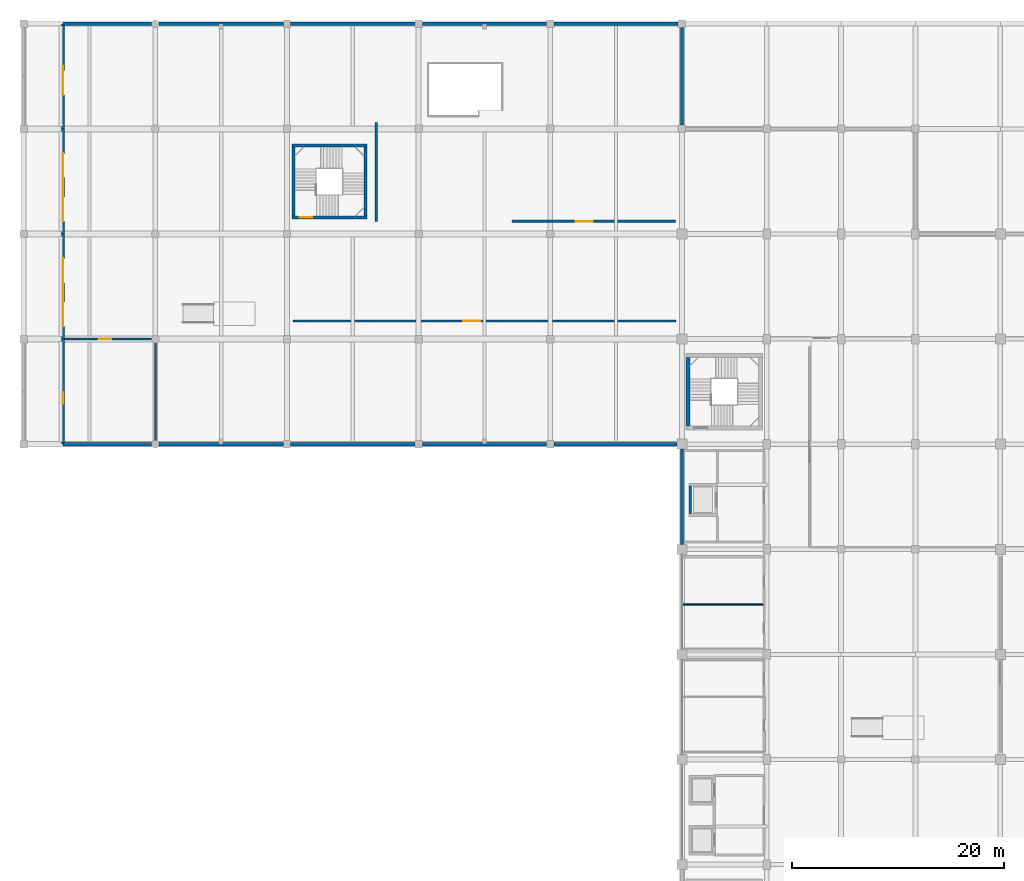
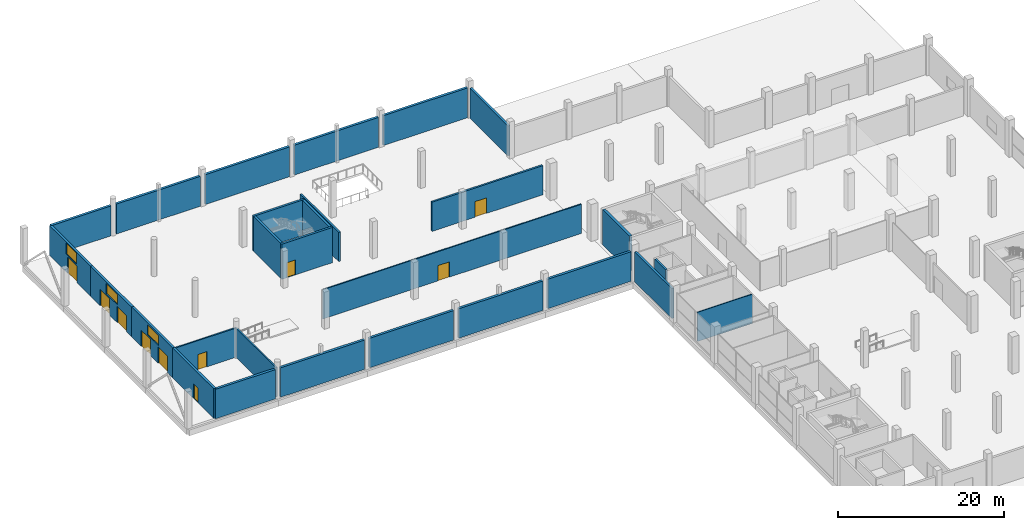
# One storey, part 22 of 50: 28 walls, 10 doors, 3 windows, 13 openings.
"""IFC4 building model written with IfcOpenShell, lengths in metres."""

from ifc_helpers import new_model, si_unit, direction, frame, frame_2d, origin, place, context, subcontext, project, spatial, rectangle, extrude, material, layer, layer_set, type_object, element, fill, save


model = new_model("IFC4")

# Units and contexts
model_context = context("Model", 3, precision=1e-05, world=origin(), true_north=direction((0.0, 1.0)))
body_context = subcontext(model_context, "Body", "Model", "MODEL_VIEW")
ifc_project = project(units=[si_unit("LENGTHUNIT", "METRE"), si_unit("AREAUNIT", "SQUARE_METRE"), si_unit("VOLUMEUNIT", "CUBIC_METRE"), si_unit("PLANEANGLEUNIT", "RADIAN"), si_unit("MASSUNIT", "GRAM", prefix="KILO")], contexts=[model_context])

# Site, building, storey
site_placement = place(None, origin())
site = spatial("IfcSite", under=ifc_project, at=site_placement, CompositionType="ELEMENT")
building_placement = place(site_placement, origin())
building = spatial("IfcBuilding", under=site, at=building_placement, Name="Sillaruma Civic Art Gallery", CompositionType="ELEMENT")
storey_placement = place(building_placement, origin())
storey = spatial("IfcBuildingStorey", under=building, at=storey_placement, Name="L00", CompositionType="ELEMENT", Elevation=0.0)

# Wall, opening, door
ifc_material_1 = material(Name="Concrete H40 (40 MPa)", Category="concrete")
ifc_layer_1 = layer(ifc_material_1, 0.300048828125, Name="Concrete H40 (40 MPa)")
ifc_layer_set_1 = layer_set([ifc_layer_1], Name="Concrete H40 (40 MPa)")
wall_type_1 = type_object("IfcWallType", Name="WAL-CORE-300", PredefinedType="SHEAR", material=ifc_layer_set_1)
wall_1_placement = place(storey_placement, frame((25.260009765625, 100.550048828125, 0.0), z_axis=(0.0, 0.0, 1.0), x_axis=(1.0, 0.0, 0.0)))
wall_1 = element("IfcWall", 1, at=wall_1_placement, inside=storey, type_object=wall_type_1, Name="Stair Core Shear Wall W-CORE-300 (ST-01:L00:S)", PredefinedType="SHEAR", context=body_context, shape_type="SweptSolid", body=[
    extrude(rectangle(XDim=7.080078125, YDim=0.300048828125, at=frame_2d((3.5400390625, 0.0))), origin(), (0.0, 0.0, 1.0), 5.179931640625),
])
opening_1_placement = place(wall_1_placement, frame((0.719970703125, 0.0, 0.0)))
opening_1 = element("IfcOpeningElement", 2, at=opening_1_placement, cuts=wall_1, Name="Opening D-STAIR", PredefinedType="OPENING", context=body_context, shape_type="SweptSolid", body=[
    extrude(rectangle(XDim=1.199951171875, YDim=2.199951171875, at=frame_2d((0.60009765625, 1.10009765625))), frame((0.0, 0.159912109375, 0.0), z_axis=(0.0, -1.0, 0.0), x_axis=(1.0, 0.0, 0.0)), (0.0, 0.0, 1.0), 0.320068359375),
])
ifc_material_2 = material(Name="Galvanised Steel ASTM A653 Gr.50", Category="steel")
door_type_1 = type_object("IfcDoorType", Name="DOR-STAIR-120", OperationType="NOTDEFINED", PredefinedType="DOOR", material=ifc_material_2)
door_1_placement = place(opening_1_placement, frame((1.199951171875, 0.0, 0.0), z_axis=(0.0, 0.0, 1.0), x_axis=(-1.0, 0.0, 0.0)))
door_1 = element("IfcDoor", 3, at=door_1_placement, inside=storey, type_object=door_type_1, Name="Protected Stair Fire Door (ST-01:L00)", OperationType="SINGLE_SWING_RIGHT", OverallHeight=2.199951171875, OverallWidth=1.199951171875, PredefinedType="DOOR", context=body_context, shape_type="SweptSolid", body=[
    extrude(rectangle(XDim=1.199951171875, YDim=2.199951171875, at=frame_2d((0.60009765625, 1.10009765625))), frame((0.0, 0.02490234375, 0.0), z_axis=(0.0, -1.0, 0.0), x_axis=(1.0, 0.0, 0.0)), (0.0, 0.0, 1.0), 0.050048828125),
])
fill(opening_1, door_1)

# Walls
wall_2_placement = place(storey_placement, frame((25.260009765625, 107.330078125, 0.0), z_axis=(0.0, 0.0, 1.0), x_axis=(1.0, 0.0, 0.0)))
element("IfcWall", 4, at=wall_2_placement, inside=storey, type_object=wall_type_1, Name="Stair Core Shear Wall W-CORE-300 (ST-01:L00:N)", PredefinedType="SHEAR", context=body_context, shape_type="SweptSolid", body=[
    extrude(rectangle(XDim=7.080078125, YDim=0.300048828125, at=frame_2d((3.5400390625, 0.0))), origin(), (0.0, 0.0, 1.0), 5.179931640625),
])
for number, where, z_axis, x_axis, name in (
    (5, (25.409912109375, 100.699951171875, 0.0), (0.0, 0.0, 1.0), (0.0, 1.0, 0.0), "Stair Core Shear Wall W-CORE-300 (ST-01:L00:W)"),
    (6, (32.18994140625, 100.699951171875, 0.0), (0.0, 0.0, 1.0), (0.0, 1.0, 0.0), "Stair Core Shear Wall W-CORE-300 (ST-01:L00:E)"),
):
    element("IfcWall", number, at=place(storey_placement, frame(where, z_axis=z_axis, x_axis=x_axis)), inside=storey, type_object=wall_type_1, Name=name, PredefinedType="SHEAR", context=body_context, shape_type="SweptSolid", body=[
        extrude(rectangle(XDim=6.47998046875, YDim=0.300048828125, at=frame_2d((3.239990234375, 0.0))), origin(), (0.0, 0.0, 1.0), 5.179931640625),
    ])
ifc_layer_2 = layer(ifc_material_1, 0.35009765625, Name="Concrete H40 (40 MPa)")
ifc_layer_set_2 = layer_set([ifc_layer_2], Name="Concrete H40 (40 MPa)")
wall_type_2 = type_object("IfcWallType", Name="WAL-CORE-350", PredefinedType="SHEAR", material=ifc_layer_set_2)
wall_3_placement = place(storey_placement, frame((62.5849609375, 80.909912109375, 0.0), z_axis=(0.0, 0.0, 1.0), x_axis=(0.0, 1.0, 0.0)))
element("IfcWall", 7, at=wall_3_placement, inside=storey, type_object=wall_type_2, Name="Stair Core Shear Wall W-CORE-350 (ST-02:L00:W)", PredefinedType="SHEAR", context=body_context, shape_type="SweptSolid", body=[
    extrude(rectangle(XDim=6.47998046875, YDim=0.35009765625, at=frame_2d((3.239990234375, 0.0))), origin(), (0.0, 0.0, 1.0), 5.179931640625),
])
ifc_material_3 = material(Name="Concrete H35 (35 MPa)", Category="concrete")
ifc_layer_3 = layer(ifc_material_3, 0.159912109375, Name="Concrete backup", Category="concrete")
ifc_material_4 = material(Name="Mineral Wool Thermal Insulation", Category="insulation")
ifc_layer_4 = layer(ifc_material_4, 0.090087890625, Name="Thermal insulation", Category="insulation")
ifc_material_5 = material(Name="Anodised Zinc-Aluminium Alloy", Category="aluminium")
ifc_layer_5 = layer(ifc_material_5, 0.030029296875, Name="Rainscreen finish", Category="aluminium")
ifc_layer_set_3 = layer_set([ifc_layer_3, ifc_layer_4, ifc_layer_5], Name="W-EXT-280")
wall_type_3 = type_object("IfcWallType", Name="WAL-EXT-280", PredefinedType="SOLIDWALL", material=ifc_layer_set_3)
wall_4_placement = place(storey_placement, frame((62.0, 69.77490234375, 0.0), z_axis=(0.0, 0.0, 1.0), x_axis=(0.0, 1.0, 0.0)))
element("IfcWall", 8, at=wall_4_placement, inside=storey, type_object=wall_type_3, Name="Exterior Wall W-EXT-280 (EW-L00-SPW-6)", PredefinedType="SOLIDWALL", context=body_context, shape_type="SweptSolid", body=[
    extrude(rectangle(XDim=8.9501953125, YDim=0.280029296875, at=frame_2d((4.47509765625, 0.0))), origin(), (0.0, 0.0, 1.0), 4.39990234375),
])
ifc_material_6 = material(Name="Precast Concrete H35 (35 MPa)", Category="concrete")
ifc_layer_6 = layer(ifc_material_6, 0.179931640625, Name="Precast backup", Category="concrete")
ifc_layer_7 = layer(ifc_material_4, 0.090087890625, Name="Thermal insulation", Category="insulation")
ifc_material_7 = material(Name="Comanche Granitic Ashlar Stone", Category="masonry")
ifc_layer_8 = layer(ifc_material_7, 0.030029296875, Name="Rainscreen cladding", Category="masonry")
ifc_layer_set_4 = layer_set([ifc_layer_6, ifc_layer_7, ifc_layer_8], Name="W-EXT-300")
wall_type_4 = type_object("IfcWallType", Name="WAL-EXT-300", PredefinedType="SOLIDWALL", material=ifc_layer_set_4)
wall_5_placement = place(storey_placement, frame((62.0, 109.25, 0.0), z_axis=(0.0, 0.0, 1.0), x_axis=(0.0, 1.0, 0.0)))
element("IfcWall", 9, at=wall_5_placement, inside=storey, type_object=wall_type_4, Name="Exterior Wall W-EXT-300 (EW-L00-PNW-W)", PredefinedType="SOLIDWALL", context=body_context, shape_type="SweptSolid", body=[
    extrude(rectangle(XDim=9.199951171875, YDim=0.300048828125, at=frame_2d((4.60009765625, 0.0))), origin(), (0.0, 0.0, 1.0), 4.39990234375),
])

# Wall, opening, door
ifc_material_8 = material(Name="Concrete Masonry Unit Grade M15", Category="masonry")
ifc_layer_9 = layer(ifc_material_8, 0.18994140625, Name="Structural backup", Category="masonry")
ifc_layer_10 = layer(ifc_material_4, 0.080078125, Name="Thermal insulation", Category="insulation")
ifc_layer_11 = layer(ifc_material_7, 0.050048828125, Name="Rainscreen cladding", Category="masonry")
ifc_layer_set_5 = layer_set([ifc_layer_9, ifc_layer_10, ifc_layer_11], Name="W-EXT-320")
wall_type_5 = type_object("IfcWallType", Name="WAL-EXT-320", PredefinedType="SOLIDWALL", material=ifc_layer_set_5)
wall_6_placement = place(storey_placement, frame((3.699951171875, 79.199951171875, 0.0), z_axis=(0.0, 0.0, 1.0), x_axis=(0.0, 1.0, 0.0)))
wall_6 = element("IfcWall", 10, at=wall_6_placement, inside=storey, type_object=wall_type_5, Name="Exterior Wall W-EXT-320 (EW-L00-WSTR-1)", PredefinedType="SOLIDWALL", context=body_context, shape_type="SweptSolid", body=[
    extrude(rectangle(XDim=9.900146484375, YDim=0.320068359375, at=frame_2d((4.9501953125, 0.0))), origin(), (0.0, 0.0, 1.0), 4.39990234375),
])
opening_2_placement = place(wall_6_placement, frame((3.800048828125, 0.0, 0.0)))
opening_2 = element("IfcOpeningElement", 11, at=opening_2_placement, cuts=wall_6, Name="Opening D-FCC1", PredefinedType="OPENING", context=body_context, shape_type="SweptSolid", body=[
    extrude(rectangle(XDim=1.10009765625, YDim=2.199951171875, at=frame_2d((0.550048828125, 1.10009765625))), frame((0.0, 0.169921875, 0.0), z_axis=(0.0, -1.0, 0.0), x_axis=(1.0, 0.0, 0.0)), (0.0, 0.0, 1.0), 0.340087890625),
])
ifc_material_9 = material(Name="Thermally Broken Extruded Aluminium 6063-T6", Category="aluminium")
door_type_2 = type_object("IfcDoorType", Name="DOR-FCC-110", OperationType="NOTDEFINED", PredefinedType="DOOR", material=ifc_material_9)
door_2_placement = place(opening_2_placement, origin())
door_2 = element("IfcDoor", 12, at=door_2_placement, inside=storey, type_object=door_type_2, Name="Fire Command Brigade Access Door", OperationType="SINGLE_SWING_LEFT", OverallHeight=2.199951171875, OverallWidth=1.10009765625, PredefinedType="DOOR", context=body_context, shape_type="SweptSolid", body=[
    extrude(rectangle(XDim=1.10009765625, YDim=2.199951171875, at=frame_2d((0.550048828125, 1.10009765625))), frame((0.0, 0.02490234375, 0.0), z_axis=(0.0, -1.0, 0.0), x_axis=(1.0, 0.0, 0.0)), (0.0, 0.0, 1.0), 0.050048828125),
])
fill(opening_2, door_2)

# Wall, openings, doors, window
wall_7_placement = place(storey_placement, frame((3.699951171875, 89.10009765625, 0.0), z_axis=(0.0, 0.0, 1.0), x_axis=(0.0, 1.0, 0.0)))
wall_7 = element("IfcWall", 13, at=wall_7_placement, inside=storey, type_object=wall_type_5, Name="Exterior Wall W-EXT-320 (EW-L00-WSTR-2)", PredefinedType="SOLIDWALL", context=body_context, shape_type="SweptSolid", body=[
    extrude(rectangle(XDim=9.89990234375, YDim=0.320068359375, at=frame_2d((4.949951171875, 0.0))), origin(), (0.0, 0.0, 1.0), 4.39990234375),
])
opening_3_placement = place(wall_7_placement, frame((3.39990234375, 0.0, 2.64990234375)))
opening_3 = element("IfcOpeningElement", 14, at=opening_3_placement, cuts=wall_7, Name="Opening WN-18", PredefinedType="OPENING", context=body_context, shape_type="SweptSolid", body=[
    extrude(rectangle(XDim=2.699951171875, YDim=1.5, at=frame_2d((1.35009765625, 0.75))), frame((0.0, 0.169921875, 0.0), z_axis=(0.0, -1.0, 0.0), x_axis=(1.0, 0.0, 0.0)), (0.0, 0.0, 1.0), 0.340087890625),
])
opening_4_placement = place(wall_7_placement, frame((1.199951171875, 0.0, 0.0)))
opening_4 = element("IfcOpeningElement", 15, at=opening_4_placement, cuts=wall_7, Name="Opening EX-230", PredefinedType="OPENING", context=body_context, shape_type="SweptSolid", body=[
    extrude(rectangle(XDim=2.300048828125, YDim=2.39990234375, at=frame_2d((1.14990234375, 1.199951171875))), frame((0.0, 0.169921875, 0.0), z_axis=(0.0, -1.0, 0.0), x_axis=(1.0, 0.0, 0.0)), (0.0, 0.0, 1.0), 0.340087890625),
])
opening_5_placement = place(wall_7_placement, frame((5.300048828125, 0.0, 0.0)))
opening_5 = element("IfcOpeningElement", 16, at=opening_5_placement, cuts=wall_7, Name="Opening EX-230", PredefinedType="OPENING", context=body_context, shape_type="SweptSolid", body=[
    extrude(rectangle(XDim=2.300048828125, YDim=2.39990234375, at=frame_2d((1.14990234375, 1.199951171875))), frame((0.0, 0.169921875, 0.0), z_axis=(0.0, -1.0, 0.0), x_axis=(1.0, 0.0, 0.0)), (0.0, 0.0, 1.0), 0.340087890625),
])
door_type_3 = type_object("IfcDoorType", Name="DOR-EX-230", OperationType="NOTDEFINED", PredefinedType="DOOR", material=ifc_material_9)
door_3_placement = place(opening_4_placement, origin())
door_3 = element("IfcDoor", 17, at=door_3_placement, inside=storey, type_object=door_type_3, Name="Pedestrian Exit Door EX-W1", OperationType="DOUBLE_DOOR_SINGLE_SWING", OverallHeight=2.39990234375, OverallWidth=2.300048828125, PredefinedType="DOOR", context=body_context, shape_type="SweptSolid", body=[
    extrude(rectangle(XDim=2.300048828125, YDim=2.39990234375, at=frame_2d((1.14990234375, 1.199951171875))), frame((0.0, 0.02490234375, 0.0), z_axis=(0.0, -1.0, 0.0), x_axis=(1.0, 0.0, 0.0)), (0.0, 0.0, 1.0), 0.050048828125),
])
fill(opening_4, door_3)
door_4_placement = place(opening_5_placement, origin())
door_4 = element("IfcDoor", 18, at=door_4_placement, inside=storey, type_object=door_type_3, Name="Pedestrian Exit Door EX-W2", OperationType="DOUBLE_DOOR_SINGLE_SWING", OverallHeight=2.39990234375, OverallWidth=2.300048828125, PredefinedType="DOOR", context=body_context, shape_type="SweptSolid", body=[
    extrude(rectangle(XDim=2.300048828125, YDim=2.39990234375, at=frame_2d((1.14990234375, 1.199951171875))), frame((0.0, 0.02490234375, 0.0), z_axis=(0.0, -1.0, 0.0), x_axis=(1.0, 0.0, 0.0)), (0.0, 0.0, 1.0), 0.050048828125),
])
fill(opening_5, door_4)
window_type_1 = type_object("IfcWindowType", Name="WIN-W18", PartitioningType="SINGLE_PANEL", PredefinedType="WINDOW", material=ifc_material_9)
window_1_placement = place(opening_3_placement, origin())
window_1 = element("IfcWindow", 19, at=window_1_placement, inside=storey, type_object=window_type_1, Name="Window WN-18 (EW-L00-WSTR-2-1)", OverallHeight=1.5, OverallWidth=2.699951171875, PartitioningType="SINGLE_PANEL", PredefinedType="WINDOW", context=body_context, shape_type="SweptSolid", body=[
    extrude(rectangle(XDim=2.699951171875, YDim=1.5, at=frame_2d((1.35009765625, 0.75))), frame((0.0, 0.030029296875, 0.0), z_axis=(0.0, -1.0, 0.0), x_axis=(1.0, 0.0, 0.0)), (0.0, 0.0, 1.0), 0.06005859375),
])
fill(opening_3, window_1)

wall_8_placement = place(storey_placement, frame((3.699951171875, 99.0, 0.0), z_axis=(0.0, 0.0, 1.0), x_axis=(0.0, 1.0, 0.0)))
wall_8 = element("IfcWall", 20, at=wall_8_placement, inside=storey, type_object=wall_type_5, Name="Exterior Wall W-EXT-320 (EW-L00-WSTR-3)", PredefinedType="SOLIDWALL", context=body_context, shape_type="SweptSolid", body=[
    extrude(rectangle(XDim=9.89990234375, YDim=0.320068359375, at=frame_2d((4.949951171875, 0.0))), origin(), (0.0, 0.0, 1.0), 4.39990234375),
])
opening_6_placement = place(wall_8_placement, frame((3.39990234375, 0.0, 2.64990234375)))
opening_6 = element("IfcOpeningElement", 21, at=opening_6_placement, cuts=wall_8, Name="Opening WN-18", PredefinedType="OPENING", context=body_context, shape_type="SweptSolid", body=[
    extrude(rectangle(XDim=2.699951171875, YDim=1.5, at=frame_2d((1.35009765625, 0.75))), frame((0.0, 0.169921875, 0.0), z_axis=(0.0, -1.0, 0.0), x_axis=(1.0, 0.0, 0.0)), (0.0, 0.0, 1.0), 0.340087890625),
])
opening_7_placement = place(wall_8_placement, frame((1.199951171875, 0.0, 0.0)))
opening_7 = element("IfcOpeningElement", 22, at=opening_7_placement, cuts=wall_8, Name="Opening EX-230", PredefinedType="OPENING", context=body_context, shape_type="SweptSolid", body=[
    extrude(rectangle(XDim=2.300048828125, YDim=2.39990234375, at=frame_2d((1.14990234375, 1.199951171875))), frame((0.0, 0.169921875, 0.0), z_axis=(0.0, -1.0, 0.0), x_axis=(1.0, 0.0, 0.0)), (0.0, 0.0, 1.0), 0.340087890625),
])
opening_8_placement = place(wall_8_placement, frame((5.300048828125, 0.0, 0.0)))
opening_8 = element("IfcOpeningElement", 23, at=opening_8_placement, cuts=wall_8, Name="Opening EX-230", PredefinedType="OPENING", context=body_context, shape_type="SweptSolid", body=[
    extrude(rectangle(XDim=2.300048828125, YDim=2.39990234375, at=frame_2d((1.14990234375, 1.199951171875))), frame((0.0, 0.169921875, 0.0), z_axis=(0.0, -1.0, 0.0), x_axis=(1.0, 0.0, 0.0)), (0.0, 0.0, 1.0), 0.340087890625),
])
door_5_placement = place(opening_7_placement, origin())
door_5 = element("IfcDoor", 24, at=door_5_placement, inside=storey, type_object=door_type_3, Name="Pedestrian Exit Door EX-W3", OperationType="DOUBLE_DOOR_SINGLE_SWING", OverallHeight=2.39990234375, OverallWidth=2.300048828125, PredefinedType="DOOR", context=body_context, shape_type="SweptSolid", body=[
    extrude(rectangle(XDim=2.300048828125, YDim=2.39990234375, at=frame_2d((1.14990234375, 1.199951171875))), frame((0.0, 0.02490234375, 0.0), z_axis=(0.0, -1.0, 0.0), x_axis=(1.0, 0.0, 0.0)), (0.0, 0.0, 1.0), 0.050048828125),
])
fill(opening_7, door_5)
door_6_placement = place(opening_8_placement, origin())
door_6 = element("IfcDoor", 25, at=door_6_placement, inside=storey, type_object=door_type_3, Name="Pedestrian Exit Door EX-W4", OperationType="DOUBLE_DOOR_SINGLE_SWING", OverallHeight=2.39990234375, OverallWidth=2.300048828125, PredefinedType="DOOR", context=body_context, shape_type="SweptSolid", body=[
    extrude(rectangle(XDim=2.300048828125, YDim=2.39990234375, at=frame_2d((1.14990234375, 1.199951171875))), frame((0.0, 0.02490234375, 0.0), z_axis=(0.0, -1.0, 0.0), x_axis=(1.0, 0.0, 0.0)), (0.0, 0.0, 1.0), 0.050048828125),
])
fill(opening_8, door_6)
window_2_placement = place(opening_6_placement, origin())
window_2 = element("IfcWindow", 26, at=window_2_placement, inside=storey, type_object=window_type_1, Name="Window WN-18 (EW-L00-WSTR-3-1)", OverallHeight=1.5, OverallWidth=2.699951171875, PartitioningType="SINGLE_PANEL", PredefinedType="WINDOW", context=body_context, shape_type="SweptSolid", body=[
    extrude(rectangle(XDim=2.699951171875, YDim=1.5, at=frame_2d((1.35009765625, 0.75))), frame((0.0, 0.030029296875, 0.0), z_axis=(0.0, -1.0, 0.0), x_axis=(1.0, 0.0, 0.0)), (0.0, 0.0, 1.0), 0.06005859375),
])
fill(opening_6, window_2)

# Wall, openings, door, window
wall_9_placement = place(storey_placement, frame((3.699951171875, 108.89990234375, 0.0), z_axis=(0.0, 0.0, 1.0), x_axis=(0.0, 1.0, 0.0)))
wall_9 = element("IfcWall", 27, at=wall_9_placement, inside=storey, type_object=wall_type_5, Name="Exterior Wall W-EXT-320 (EW-L00-WSTR-4)", PredefinedType="SOLIDWALL", context=body_context, shape_type="SweptSolid", body=[
    extrude(rectangle(XDim=9.900146484375, YDim=0.320068359375, at=frame_2d((4.9501953125, 0.0))), origin(), (0.0, 0.0, 1.0), 4.39990234375),
])
opening_9_placement = place(wall_9_placement, frame((3.39990234375, 0.0, 2.64990234375)))
opening_9 = element("IfcOpeningElement", 28, at=opening_9_placement, cuts=wall_9, Name="Opening WN-11", PredefinedType="OPENING", context=body_context, shape_type="SweptSolid", body=[
    extrude(rectangle(XDim=2.5, YDim=1.60009765625, at=frame_2d((1.25, 0.800048828125))), frame((0.0, 0.169921875, 0.0), z_axis=(0.0, -1.0, 0.0), x_axis=(1.0, 0.0, 0.0)), (0.0, 0.0, 1.0), 0.340087890625),
])
opening_10_placement = place(wall_9_placement, frame((3.199951171875, 0.0, 0.0)))
opening_10 = element("IfcOpeningElement", 29, at=opening_10_placement, cuts=wall_9, Name="Opening EX-230", PredefinedType="OPENING", context=body_context, shape_type="SweptSolid", body=[
    extrude(rectangle(XDim=2.300048828125, YDim=2.39990234375, at=frame_2d((1.14990234375, 1.199951171875))), frame((0.0, 0.169921875, 0.0), z_axis=(0.0, -1.0, 0.0), x_axis=(1.0, 0.0, 0.0)), (0.0, 0.0, 1.0), 0.340087890625),
])
door_7_placement = place(opening_10_placement, origin())
door_7 = element("IfcDoor", 30, at=door_7_placement, inside=storey, type_object=door_type_3, Name="Pedestrian Exit Door EX-W5", OperationType="DOUBLE_DOOR_SINGLE_SWING", OverallHeight=2.39990234375, OverallWidth=2.300048828125, PredefinedType="DOOR", context=body_context, shape_type="SweptSolid", body=[
    extrude(rectangle(XDim=2.300048828125, YDim=2.39990234375, at=frame_2d((1.14990234375, 1.199951171875))), frame((0.0, 0.02490234375, 0.0), z_axis=(0.0, -1.0, 0.0), x_axis=(1.0, 0.0, 0.0)), (0.0, 0.0, 1.0), 0.050048828125),
])
fill(opening_10, door_7)
window_type_2 = type_object("IfcWindowType", Name="WIN-W11", PartitioningType="SINGLE_PANEL", PredefinedType="WINDOW", material=ifc_material_9)
window_3_placement = place(opening_9_placement, origin())
window_3 = element("IfcWindow", 31, at=window_3_placement, inside=storey, type_object=window_type_2, Name="Window WN-11 (EW-L00-WSTR-4-1)", OverallHeight=1.60009765625, OverallWidth=2.5, PartitioningType="SINGLE_PANEL", PredefinedType="WINDOW", context=body_context, shape_type="SweptSolid", body=[
    extrude(rectangle(XDim=2.5, YDim=1.60009765625, at=frame_2d((1.25, 0.800048828125))), frame((0.0, 0.030029296875, 0.0), z_axis=(0.0, -1.0, 0.0), x_axis=(1.0, 0.0, 0.0)), (0.0, 0.0, 1.0), 0.06005859375),
])
fill(opening_9, window_3)

# Walls
ifc_layer_12 = layer(ifc_material_1, 0.239990234375, Name="Boundary concrete", Category="concrete")
ifc_layer_13 = layer(ifc_material_4, 0.10009765625, Name="Acoustic-thermal liner", Category="insulation")
ifc_layer_set_6 = layer_set([ifc_layer_12, ifc_layer_13], Name="W-EXT-340")
wall_type_6 = type_object("IfcWallType", Name="WAL-EXT-340", PredefinedType="SOLIDWALL", material=ifc_layer_set_6)
wall_10_placement = place(storey_placement, frame((3.699951171875, 118.800048828125, 0.0), z_axis=(0.0, 0.0, 1.0), x_axis=(1.0, 0.0, 0.0)))
element("IfcWall", 32, at=wall_10_placement, inside=storey, type_object=wall_type_6, Name="Exterior Wall W-EXT-340 (EW-L00-WPN-1)", PredefinedType="SOLIDWALL", context=body_context, shape_type="SweptSolid", body=[
    extrude(rectangle(XDim=8.340087890625, YDim=0.340087890625, at=frame_2d((4.169921875, 0.0))), origin(), (0.0, 0.0, 1.0), 4.39990234375),
])
wall_11_placement = place(storey_placement, frame((3.699951171875, 79.199951171875, 0.0), z_axis=(0.0, 0.0, 1.0), x_axis=(1.0, 0.0, 0.0)))
element("IfcWall", 33, at=wall_11_placement, inside=storey, type_object=wall_type_6, Name="Exterior Wall W-EXT-340 (EW-L00-WPS-1)", PredefinedType="SOLIDWALL", context=body_context, shape_type="SweptSolid", body=[
    extrude(rectangle(XDim=8.340087890625, YDim=0.340087890625, at=frame_2d((4.169921875, 0.0))), origin(), (0.0, 0.0, 1.0), 4.330078125),
])
wall_12_placement = place(storey_placement, frame((12.760009765625, 118.800048828125, 0.0), z_axis=(0.0, 0.0, 1.0), x_axis=(1.0, 0.0, 0.0)))
element("IfcWall", 34, at=wall_12_placement, inside=storey, type_object=wall_type_6, Name="Exterior Wall W-EXT-340 (EW-L00-WPN-2)", PredefinedType="SOLIDWALL", context=body_context, shape_type="SweptSolid", body=[
    extrude(rectangle(XDim=11.68994140625, YDim=0.340087890625, at=frame_2d((5.844970703125, 0.0))), origin(), (0.0, 0.0, 1.0), 4.39990234375),
])
wall_13_placement = place(storey_placement, frame((12.760009765625, 79.199951171875, 0.0), z_axis=(0.0, 0.0, 1.0), x_axis=(1.0, 0.0, 0.0)))
element("IfcWall", 35, at=wall_13_placement, inside=storey, type_object=wall_type_6, Name="Exterior Wall W-EXT-340 (EW-L00-WPS-2)", PredefinedType="SOLIDWALL", context=body_context, shape_type="SweptSolid", body=[
    extrude(rectangle(XDim=11.68994140625, YDim=0.340087890625, at=frame_2d((5.844970703125, 0.0))), origin(), (0.0, 0.0, 1.0), 4.330078125),
])
wall_14_placement = place(storey_placement, frame((25.14990234375, 118.800048828125, 0.0), z_axis=(0.0, 0.0, 1.0), x_axis=(1.0, 0.0, 0.0)))
element("IfcWall", 36, at=wall_14_placement, inside=storey, type_object=wall_type_6, Name="Exterior Wall W-EXT-340 (EW-L00-WPN-3)", PredefinedType="SOLIDWALL", context=body_context, shape_type="SweptSolid", body=[
    extrude(rectangle(XDim=11.7001953125, YDim=0.340087890625, at=frame_2d((5.85009765625, 0.0))), origin(), (0.0, 0.0, 1.0), 4.39990234375),
])
wall_15_placement = place(storey_placement, frame((25.14990234375, 79.199951171875, 0.0), z_axis=(0.0, 0.0, 1.0), x_axis=(1.0, 0.0, 0.0)))
element("IfcWall", 37, at=wall_15_placement, inside=storey, type_object=wall_type_6, Name="Exterior Wall W-EXT-340 (EW-L00-WPS-3)", PredefinedType="SOLIDWALL", context=body_context, shape_type="SweptSolid", body=[
    extrude(rectangle(XDim=11.7001953125, YDim=0.340087890625, at=frame_2d((5.85009765625, 0.0))), origin(), (0.0, 0.0, 1.0), 4.330078125),
])
wall_16_placement = place(storey_placement, frame((37.550048828125, 118.800048828125, 0.0), z_axis=(0.0, 0.0, 1.0), x_axis=(1.0, 0.0, 0.0)))
element("IfcWall", 38, at=wall_16_placement, inside=storey, type_object=wall_type_6, Name="Exterior Wall W-EXT-340 (EW-L00-WPN-4)", PredefinedType="SOLIDWALL", context=body_context, shape_type="SweptSolid", body=[
    extrude(rectangle(XDim=11.699951171875, YDim=0.340087890625, at=frame_2d((5.85009765625, 0.0))), origin(), (0.0, 0.0, 1.0), 4.39990234375),
])
wall_17_placement = place(storey_placement, frame((37.550048828125, 79.199951171875, 0.0), z_axis=(0.0, 0.0, 1.0), x_axis=(1.0, 0.0, 0.0)))
element("IfcWall", 39, at=wall_17_placement, inside=storey, type_object=wall_type_6, Name="Exterior Wall W-EXT-340 (EW-L00-WPS-4)", PredefinedType="SOLIDWALL", context=body_context, shape_type="SweptSolid", body=[
    extrude(rectangle(XDim=11.699951171875, YDim=0.340087890625, at=frame_2d((5.85009765625, 0.0))), origin(), (0.0, 0.0, 1.0), 4.330078125),
])
wall_18_placement = place(storey_placement, frame((49.949951171875, 118.800048828125, 0.0), z_axis=(0.0, 0.0, 1.0), x_axis=(1.0, 0.0, 0.0)))
element("IfcWall", 40, at=wall_18_placement, inside=storey, type_object=wall_type_6, Name="Exterior Wall W-EXT-340 (EW-L00-WPN-5)", PredefinedType="SOLIDWALL", context=body_context, shape_type="SweptSolid", body=[
    extrude(rectangle(XDim=11.699951171875, YDim=0.340087890625, at=frame_2d((5.85009765625, 0.0))), origin(), (0.0, 0.0, 1.0), 4.39990234375),
])
wall_19_placement = place(storey_placement, frame((49.949951171875, 79.199951171875, 0.0), z_axis=(0.0, 0.0, 1.0), x_axis=(1.0, 0.0, 0.0)))
element("IfcWall", 41, at=wall_19_placement, inside=storey, type_object=wall_type_6, Name="Exterior Wall W-EXT-340 (EW-L00-WPS-5)", PredefinedType="SOLIDWALL", context=body_context, shape_type="SweptSolid", body=[
    extrude(rectangle(XDim=11.574951171875, YDim=0.340087890625, at=frame_2d((5.78759765625, 0.0))), origin(), (0.0, 0.0, 1.0), 4.330078125),
])
ifc_layer_14 = layer(ifc_material_8, 0.199951171875, Name="Concrete Masonry Unit Grade M15")
ifc_layer_set_7 = layer_set([ifc_layer_14], Name="Concrete Masonry Unit Grade M15")
wall_type_7 = type_object("IfcWallType", Name="WAL-LOBBY-200", PredefinedType="SOLIDWALL", material=ifc_layer_set_7)
wall_20_placement = place(storey_placement, frame((12.39990234375, 79.35009765625, 0.0), z_axis=(0.0, 0.0, 1.0), x_axis=(0.0, 1.0, 0.0)))
element("IfcWall", 42, at=wall_20_placement, inside=storey, type_object=wall_type_7, Name="Interior Wall W-LOBBY-200 (L00-FCC)", PredefinedType="SOLIDWALL", context=body_context, shape_type="SweptSolid", body=[
    extrude(rectangle(XDim=9.75, YDim=0.199951171875, at=frame_2d((4.875, 0.0))), origin(), (0.0, 0.0, 1.0), 4.300048828125),
])

# Wall, opening, door
wall_21_placement = place(storey_placement, frame((3.85009765625, 89.10009765625, 0.0), z_axis=(0.0, 0.0, 1.0), x_axis=(1.0, 0.0, 0.0)))
wall_21 = element("IfcWall", 43, at=wall_21_placement, inside=storey, type_object=wall_type_7, Name="Interior Wall W-LOBBY-200 (L00-FCC)", PredefinedType="SOLIDWALL", context=body_context, shape_type="SweptSolid", body=[
    extrude(rectangle(XDim=8.5498046875, YDim=0.199951171875, at=frame_2d((4.27490234375, 0.0))), origin(), (0.0, 0.0, 1.0), 4.300048828125),
])
opening_11_placement = place(wall_21_placement, frame((3.199951171875, 0.0, 0.0)))
opening_11 = element("IfcOpeningElement", 44, at=opening_11_placement, cuts=wall_21, Name="Opening D-FFL", PredefinedType="OPENING", context=body_context, shape_type="SweptSolid", body=[
    extrude(rectangle(XDim=1.199951171875, YDim=2.25, at=frame_2d((0.60009765625, 1.125))), frame((0.0, 0.10986328125, 0.0), z_axis=(0.0, -1.0, 0.0), x_axis=(1.0, 0.0, 0.0)), (0.0, 0.0, 1.0), 0.219970703125),
])
door_type_4 = type_object("IfcDoorType", Name="DOR-FFL-120", OperationType="NOTDEFINED", PredefinedType="DOOR", material=ifc_material_2)
door_8_placement = place(opening_11_placement, origin())
door_8 = element("IfcDoor", 45, at=door_8_placement, inside=storey, type_object=door_type_4, Name="Fire Command Centre Door (D-FFL)", OperationType="SINGLE_SWING_RIGHT", OverallHeight=2.25, OverallWidth=1.199951171875, PredefinedType="DOOR", context=body_context, shape_type="SweptSolid", body=[
    extrude(rectangle(XDim=1.199951171875, YDim=2.25, at=frame_2d((0.60009765625, 1.125))), frame((0.0, 0.02490234375, 0.0), z_axis=(0.0, -1.0, 0.0), x_axis=(1.0, 0.0, 0.0)), (0.0, 0.0, 1.0), 0.050048828125),
])
fill(opening_11, door_8)

# Wall
ifc_material_10 = material(Name="Gypsum Acoustic Board", Category="gypsum")
ifc_layer_15 = layer(ifc_material_10, 0.02490234375, Name="Finish board", Category="gypsum")
ifc_layer_16 = layer(ifc_material_4, 0.080078125, Name="Acoustic core", Category="insulation")
ifc_material_11 = material(Name="Andean Oak Timber", Category="wood")
ifc_layer_17 = layer(ifc_material_11, 0.02490234375, Name="Gallery lining", Category="wood")
ifc_layer_set_8 = layer_set([ifc_layer_15, ifc_layer_16, ifc_layer_17], Name="W-PT-130")
wall_type_8 = type_object("IfcWallType", Name="WAL-PART-130", PredefinedType="PARTITIONING", material=ifc_layer_set_8)
wall_22_placement = place(storey_placement, frame((62.14990234375, 64.10009765625, 0.0), z_axis=(0.0, 0.0, 1.0), x_axis=(1.0, 0.0, 0.0)))
element("IfcWall", 46, at=wall_22_placement, inside=storey, type_object=wall_type_8, Name="Interior Wall W-PT-130 (L00-CLN)", PredefinedType="PARTITIONING", context=body_context, shape_type="SweptSolid", body=[
    extrude(rectangle(XDim=7.60009765625, YDim=0.1298828125, at=frame_2d((3.800048828125, 0.0))), origin(), (0.0, 0.0, 1.0), 4.300048828125),
])

# Wall, opening, door
ifc_layer_18 = layer(ifc_material_10, 0.02490234375, Name="Finish board", Category="gypsum")
ifc_layer_19 = layer(ifc_material_4, 0.114990234375, Name="Acoustic core", Category="insulation")
ifc_layer_20 = layer(ifc_material_11, 0.02490234375, Name="Gallery lining", Category="wood")
ifc_layer_set_9 = layer_set([ifc_layer_18, ifc_layer_19, ifc_layer_20], Name="W-PT-165")
wall_type_9 = type_object("IfcWallType", Name="WAL-PART-165", PredefinedType="PARTITIONING", material=ifc_layer_set_9)
wall_23_placement = place(storey_placement, frame((25.39990234375, 90.800048828125, 0.0), z_axis=(0.0, 0.0, 1.0), x_axis=(1.0, 0.0, 0.0)))
wall_23 = element("IfcWall", 47, at=wall_23_placement, inside=storey, type_object=wall_type_9, Name="Interior Wall W-PT-165 (L00-CURW)", PredefinedType="PARTITIONING", context=body_context, shape_type="SweptSolid", body=[
    extrude(rectangle(XDim=36.0, YDim=0.1650390625, at=frame_2d((18.0, 0.0))), origin(), (0.0, 0.0, 1.0), 4.300048828125),
])
opening_12_placement = place(wall_23_placement, frame((16.0, 0.0, 0.0)))
opening_12 = element("IfcOpeningElement", 48, at=opening_12_placement, cuts=wall_23, Name="Opening D-INT16", PredefinedType="OPENING", context=body_context, shape_type="SweptSolid", body=[
    extrude(rectangle(XDim=1.60009765625, YDim=2.25, at=frame_2d((0.800048828125, 1.125))), frame((0.0, 0.092529296875, 0.0), z_axis=(0.0, -1.0, 0.0), x_axis=(1.0, 0.0, 0.0)), (0.0, 0.0, 1.0), 0.18505859375),
])
door_type_5 = type_object("IfcDoorType", Name="DOR-INT-160", OperationType="NOTDEFINED", PredefinedType="DOOR", material=ifc_material_11)
door_9_placement = place(opening_12_placement, origin())
door_9 = element("IfcDoor", 49, at=door_9_placement, inside=storey, type_object=door_type_5, Name="Visitor Registration and Curatorial Office Door (D-INT16)", OperationType="DOUBLE_DOOR_SINGLE_SWING", OverallHeight=2.25, OverallWidth=1.60009765625, PredefinedType="DOOR", context=body_context, shape_type="SweptSolid", body=[
    extrude(rectangle(XDim=1.60009765625, YDim=2.25, at=frame_2d((0.800048828125, 1.125))), frame((0.0, 0.02490234375, 0.0), z_axis=(0.0, -1.0, 0.0), x_axis=(1.0, 0.0, 0.0)), (0.0, 0.0, 1.0), 0.050048828125),
])
fill(opening_12, door_9)

# Wall
ifc_layer_21 = layer(ifc_material_1, 0.25, Name="Concrete H40 (40 MPa)")
ifc_layer_set_10 = layer_set([ifc_layer_21], Name="Concrete H40 (40 MPa)")
wall_type_10 = type_object("IfcWallType", Name="WAL-SHAFT-250", PredefinedType="SOLIDWALL", material=ifc_layer_set_10)
wall_24_placement = place(storey_placement, frame((62.77490234375, 72.64990234375, 0.0), z_axis=(0.0, 0.0, 1.0), x_axis=(0.0, 1.0, 0.0)))
element("IfcWall", 50, at=wall_24_placement, inside=storey, type_object=wall_type_10, Name="Lift Shaft Wall W-SHAFT-250 (FFL-01:L00:W)", PredefinedType="SOLIDWALL", context=body_context, shape_type="SweptSolid", body=[
    extrude(rectangle(XDim=2.60009765625, YDim=0.25, at=frame_2d((1.300048828125, 0.0))), origin(), (0.0, 0.0, 1.0), 5.159912109375),
])

# Wall, opening, door
ifc_layer_22 = layer(ifc_material_8, 0.2548828125, Name="Concrete Masonry Unit Grade M15")
ifc_layer_set_11 = layer_set([ifc_layer_22], Name="Concrete Masonry Unit Grade M15")
wall_type_11 = type_object("IfcWallType", Name="WAL-STORE-250", PredefinedType="SOLIDWALL", material=ifc_layer_set_11)
wall_25_placement = place(storey_placement, frame((46.0, 100.199951171875, 0.0), z_axis=(0.0, 0.0, 1.0), x_axis=(1.0, 0.0, 0.0)))
wall_25 = element("IfcWall", 51, at=wall_25_placement, inside=storey, type_object=wall_type_11, Name="Interior Wall W-STORE-250 (L00-STRW0)", PredefinedType="SOLIDWALL", context=body_context, shape_type="SweptSolid", body=[
    extrude(rectangle(XDim=15.39990234375, YDim=0.2548828125, at=frame_2d((7.699951171875, 0.0))), origin(), (0.0, 0.0, 1.0), 4.300048828125),
])
opening_13_placement = place(wall_25_placement, frame((6.0, 0.0, 0.0)))
opening_13 = element("IfcOpeningElement", 52, at=opening_13_placement, cuts=wall_25, Name="Opening D-STR16", PredefinedType="OPENING", context=body_context, shape_type="SweptSolid", body=[
    extrude(rectangle(XDim=1.60009765625, YDim=2.300048828125, at=frame_2d((0.800048828125, 1.14990234375))), frame((0.0, 0.137451171875, 0.0), z_axis=(0.0, -1.0, 0.0), x_axis=(1.0, 0.0, 0.0)), (0.0, 0.0, 1.0), 0.27490234375),
])
door_type_6 = type_object("IfcDoorType", Name="DOR-STORE-160", OperationType="NOTDEFINED", PredefinedType="DOOR", material=ifc_material_2)
door_10_placement = place(opening_13_placement, origin())
door_10 = element("IfcDoor", 53, at=door_10_placement, inside=storey, type_object=door_type_6, Name="Cloakroom and Exhibition Store Door (D-STR16)", OperationType="DOUBLE_DOOR_SINGLE_SWING", OverallHeight=2.300048828125, OverallWidth=1.60009765625, PredefinedType="DOOR", context=body_context, shape_type="SweptSolid", body=[
    extrude(rectangle(XDim=1.60009765625, YDim=2.300048828125, at=frame_2d((0.800048828125, 1.14990234375))), frame((0.0, 0.02490234375, 0.0), z_axis=(0.0, -1.0, 0.0), x_axis=(1.0, 0.0, 0.0)), (0.0, 0.0, 1.0), 0.050048828125),
])
fill(opening_13, door_10)

# Wall
wall_26_placement = place(storey_placement, frame((33.199951171875, 100.199951171875, 0.0), z_axis=(0.0, 0.0, 1.0), x_axis=(0.0, 1.0, 0.0)))
element("IfcWall", 54, at=wall_26_placement, inside=storey, type_object=wall_type_11, Name="Interior Wall W-STORE-250 (L00-STRW0)", PredefinedType="SOLIDWALL", context=body_context, shape_type="SweptSolid", body=[
    extrude(rectangle(XDim=9.300048828125, YDim=0.2548828125, at=frame_2d((4.64990234375, 0.0))), origin(), (0.0, 0.0, 1.0), 4.300048828125),
])

save(model, "model.ifc")
